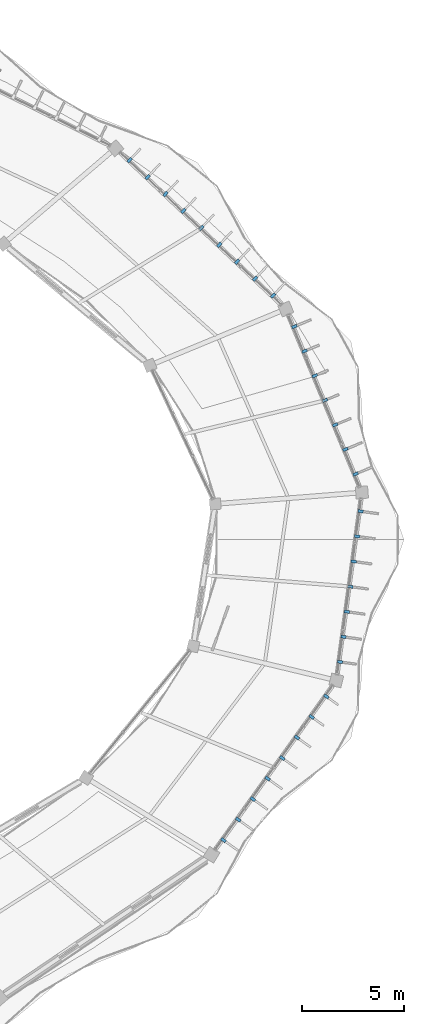
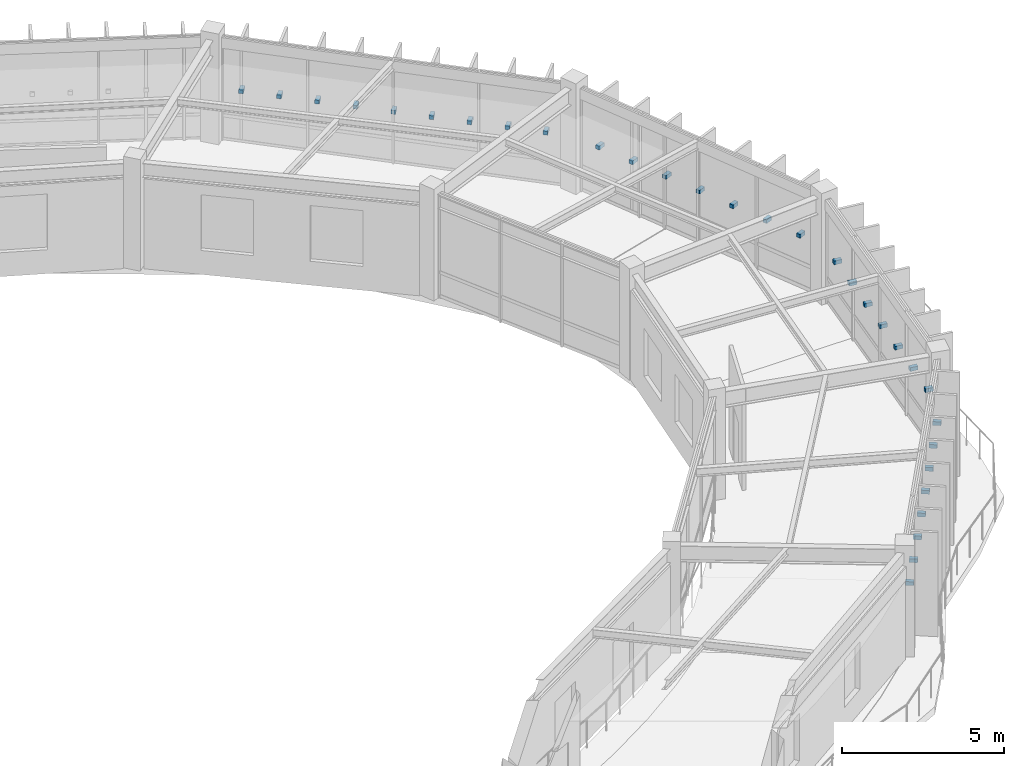
# One storey, part 77 of 83: 31 discrete accessories.
"""IFC4 building model written with IfcOpenShell, lengths in metres."""

from ifc_helpers import new_model, si_unit, direction, frame, origin, origin_2d, place, context, subcontext, project, spatial, rectangle, extrude, material, type_object, element, save


model = new_model("IFC4")

# Units and contexts
model_context = context("Model", 3, precision=1e-05, world=origin(), true_north=direction((0.0, 1.0)))
body_context = subcontext(model_context, "Body", "Model", "MODEL_VIEW")
ifc_project = project(units=[si_unit("LENGTHUNIT", "METRE"), si_unit("AREAUNIT", "SQUARE_METRE"), si_unit("VOLUMEUNIT", "CUBIC_METRE"), si_unit("PLANEANGLEUNIT", "RADIAN"), si_unit("MASSUNIT", "GRAM", prefix="KILO"), si_unit("THERMODYNAMICTEMPERATUREUNIT", "KELVIN"), si_unit("POWERUNIT", "WATT")], contexts=[model_context])

# Site, building, storey
site_placement = place(None, origin())
site = spatial("IfcSite", under=ifc_project, at=site_placement, CompositionType="ELEMENT")
building_placement = place(site_placement, origin())
building = spatial("IfcBuilding", under=site, at=building_placement, Name="Darbajah Civic Hall", CompositionType="ELEMENT")
storey_placement = place(building_placement, frame((0.0, 0.0, 18.0)))
storey = spatial("IfcBuildingStorey", under=building, at=storey_placement, Name="L04", CompositionType="ELEMENT", Elevation=18.0)

# Discrete accessories
ifc_material = material(Name="Stainless Steel S355JR", Category="steel")
discrete_accessory_type = type_object("IfcDiscreteAccessoryType", Name="Stainless Facade Support Bracket", PredefinedType="BRACKET", material=ifc_material)
for number, where, z_axis, x_axis, name in (
    (1, (139.6328125, 93.017578125, 1.89013671875), (0.0, 0.0, 1.0), (0.923612143954, 0.383328328644, 0.0), "L04 shading fin bracket 00-1"),
    (2, (139.1337890625, 94.219970703125, 1.89013671875), (0.0, 0.0, 1.0), (0.923612143954, 0.383328328644, 0.0), "L04 shading fin bracket 00-2"),
    (3, (138.634765625, 95.42236328125, 1.89013671875), (0.0, 0.0, 1.0), (0.923612143954, 0.383328328644, 0.0), "L04 shading fin bracket 00-3"),
    (4, (138.1357421875, 96.624755859375, 1.89013671875), (0.0, 0.0, 1.0), (0.923612143954, 0.383328328644, 0.0), "L04 shading fin bracket 00-4"),
    (5, (137.63671875, 97.827392578125, 1.89013671875), (0.0, 0.0, 1.0), (0.923612143954, 0.383328328644, 0.0), "L04 shading fin bracket 00-5"),
    (6, (137.1376953125, 99.02978515625, 1.89013671875), (0.0, 0.0, 1.0), (0.923612143954, 0.383328328644, 0.0), "L04 shading fin bracket 00-6"),
    (7, (136.638671875, 100.232177734375, 1.89013671875), (0.0, 0.0, 1.0), (0.923612143954, 0.383328328644, 0.0), "L04 shading fin bracket 00-7"),
    (8, (135.6005859375, 101.75439453125, 1.89013671875), (0.0, 0.0, 1.0), (0.686453193248, 0.727173991201, 0.0), "L04 shading fin bracket 01-1"),
    (9, (134.72314453125, 102.58251953125, 1.89013671875), (0.0, 0.0, 1.0), (0.686453193248, 0.727173991201, 0.0), "L04 shading fin bracket 01-2"),
    (10, (133.845703125, 103.410888671875, 1.89013671875), (0.0, 0.0, 1.0), (0.686453193248, 0.727173991201, 0.0), "L04 shading fin bracket 01-3"),
    (11, (132.968017578125, 104.2392578125, 1.89013671875), (0.0, 0.0, 1.0), (0.686453193248, 0.727173991201, 0.0), "L04 shading fin bracket 01-4"),
    (12, (132.090576171875, 105.067626953125, 1.89013671875), (0.0, 0.0, 1.0), (0.686453193248, 0.727173991201, 0.0), "L04 shading fin bracket 01-5"),
    (13, (131.212890625, 105.89599609375, 1.89013671875), (0.0, 0.0, 1.0), (0.686453193248, 0.727173991201, 0.0), "L04 shading fin bracket 01-6"),
    (14, (130.33544921875, 106.72412109375, 1.89013671875), (0.0, 0.0, 1.0), (0.686453193248, 0.727173991201, 0.0), "L04 shading fin bracket 01-7"),
    (15, (129.457763671875, 107.552490234375, 1.89013671875), (0.0, 0.0, 1.0), (0.686453193248, 0.727173991201, 0.0), "L04 shading fin bracket 01-8"),
    (16, (128.580322265625, 108.380859375, 1.89013671875), (0.0, 0.0, 1.0), (0.686453193248, 0.727173991201, 0.0), "L04 shading fin bracket 01-9"),
    (17, (133.1689453125, 75.09912109375, 1.89013671875), (0.0, 0.0, 1.0), (0.812999149039, -0.582264874145, 0.0), "L04 shading fin bracket 18-1"),
    (18, (133.88818359375, 76.103515625, 1.89013671875), (0.0, 0.0, 1.0), (0.812999149039, -0.582264874145, 0.0), "L04 shading fin bracket 18-2"),
    (19, (134.607421875, 77.108154296875, 1.89013671875), (0.0, 0.0, 1.0), (0.812999149039, -0.582264874145, 0.0), "L04 shading fin bracket 18-3"),
    (20, (135.326904296875, 78.11279296875, 1.89013671875), (0.0, 0.0, 1.0), (0.812999149039, -0.582264874145, 0.0), "L04 shading fin bracket 18-4"),
    (21, (136.046142578125, 79.1171875, 1.89013671875), (0.0, 0.0, 1.0), (0.812999149039, -0.582264874145, 0.0), "L04 shading fin bracket 18-5"),
    (22, (136.765380859375, 80.12158203125, 1.89013671875), (0.0, 0.0, 1.0), (0.812999149039, -0.582264874145, 0.0), "L04 shading fin bracket 18-6"),
    (23, (137.48486328125, 81.126220703125, 1.89013671875), (0.0, 0.0, 1.0), (0.812999149039, -0.582264874145, 0.0), "L04 shading fin bracket 18-7"),
    (24, (138.2041015625, 82.130615234375, 1.89013671875), (0.0, 0.0, 1.0), (0.812999149039, -0.582264874145, 0.0), "L04 shading fin bracket 18-8"),
    (25, (138.874755859375, 83.819091796875, 1.89013671875), (0.0, 0.0, 1.0), (0.990865897387, -0.134850930274, 0.0), "L04 shading fin bracket 19-1"),
    (26, (139.0419921875, 85.0478515625, 1.89013671875), (0.0, 0.0, 1.0), (0.990865897387, -0.134850930274, 0.0), "L04 shading fin bracket 19-2"),
    (27, (139.208984375, 86.27685546875, 1.89013671875), (0.0, 0.0, 1.0), (0.990865897387, -0.134850930274, 0.0), "L04 shading fin bracket 19-3"),
    (28, (139.376220703125, 87.505859375, 1.89013671875), (0.0, 0.0, 1.0), (0.990865897387, -0.134850930274, 0.0), "L04 shading fin bracket 19-4"),
    (29, (139.54345703125, 88.73486328125, 1.89013671875), (0.0, 0.0, 1.0), (0.990865897387, -0.134850930274, 0.0), "L04 shading fin bracket 19-5"),
    (30, (139.710693359375, 89.9638671875, 1.89013671875), (0.0, 0.0, 1.0), (0.990865897387, -0.134850930274, 0.0), "L04 shading fin bracket 19-6"),
    (31, (139.8779296875, 91.192626953125, 1.89013671875), (0.0, 0.0, 1.0), (0.990865897387, -0.134850930274, 0.0), "L04 shading fin bracket 19-7"),
):
    element("IfcDiscreteAccessory", number, at=place(storey_placement, frame(where, z_axis=z_axis, x_axis=x_axis)), inside=storey, type_object=discrete_accessory_type, Name=name, PredefinedType="BRACKET", context=body_context, shape_type="SweptSolid", body=[
        extrude(rectangle(XDim=0.260009765625, YDim=0.139892578125, at=origin_2d()), origin(), (0.0, 0.0, 1.0), 0.139892578125),
    ])

save(model, "model.ifc")
